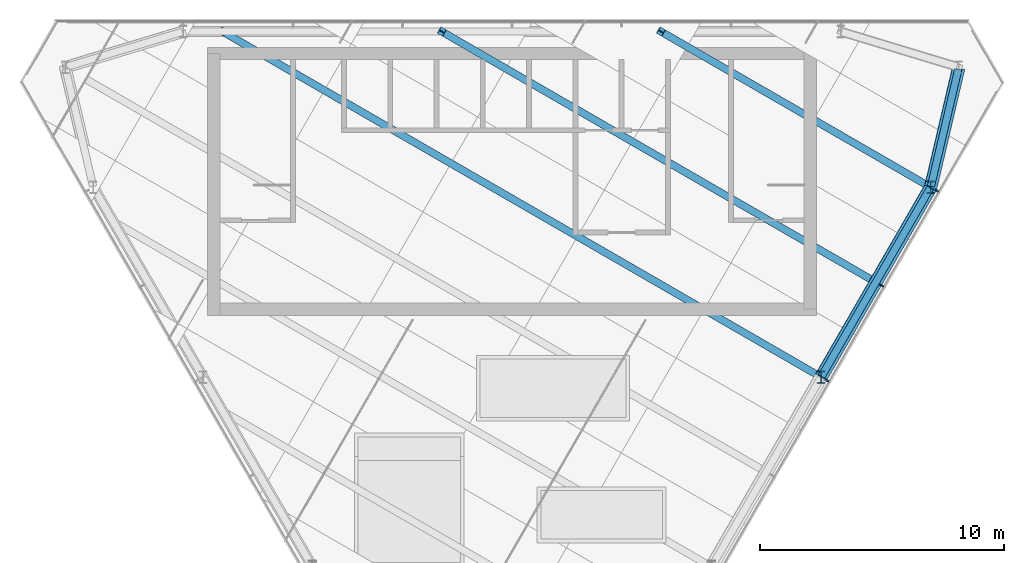
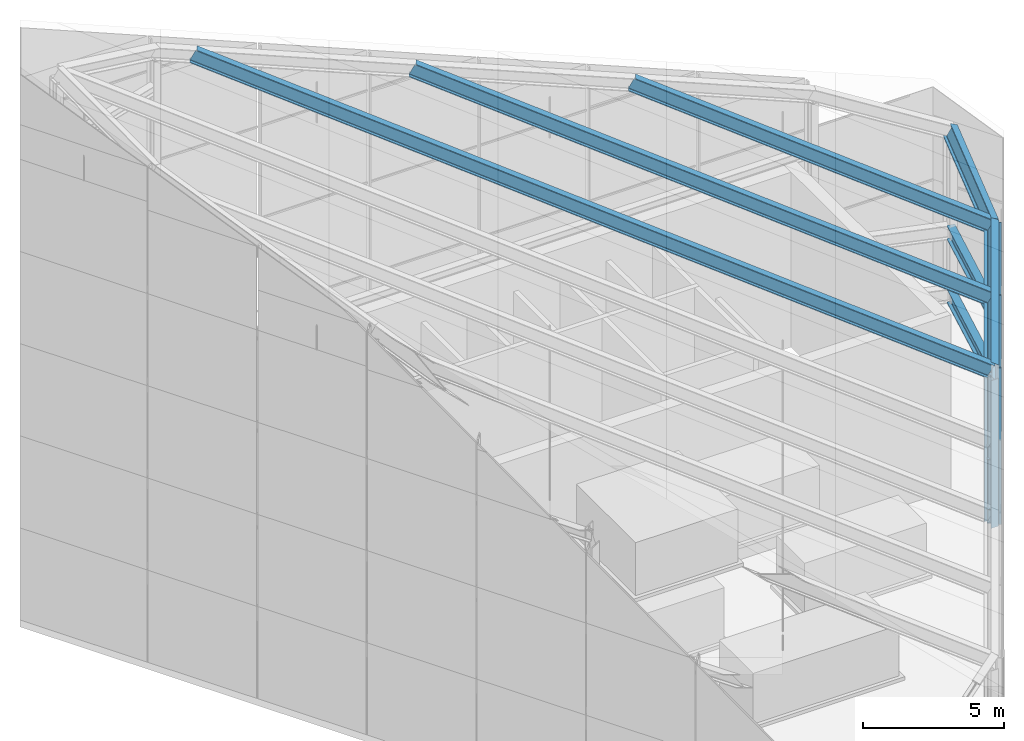
# One storey, part 7 of 16: 9 members, 5 beams, 1 element without a shape of its own.
"""IFC4 building model written with IfcOpenShell, lengths in metres."""

from ifc_helpers import new_model, si_unit, direction, frame, origin, origin_2d, place, context, subcontext, project, spatial, rectangle, i_section, extrude, material, layer, layer_set, material_profile, profile_set, type_object, element, aggregate, save


model = new_model("IFC4")

# Units and contexts
model_context = context("Model", 3, precision=1e-05, world=origin(), true_north=direction((0.0, 1.0)))
body_context = subcontext(model_context, "Body", "Model", "MODEL_VIEW")
ifc_project = project(units=[si_unit("LENGTHUNIT", "METRE"), si_unit("AREAUNIT", "SQUARE_METRE"), si_unit("VOLUMEUNIT", "CUBIC_METRE"), si_unit("PLANEANGLEUNIT", "RADIAN"), si_unit("MASSUNIT", "GRAM", prefix="KILO")], contexts=[model_context])

# Site, building, storey
site_placement = place(None, origin())
site = spatial("IfcSite", under=ifc_project, at=site_placement, CompositionType="ELEMENT")
building_placement = place(site_placement, origin())
building = spatial("IfcBuilding", under=site, at=building_placement, Name="Altiplano Prism Tower", CompositionType="ELEMENT")
storey_placement = place(building_placement, frame((0.0, 0.0, 358.0)))
storey = spatial("IfcBuildingStorey", under=building, at=storey_placement, Name="Crown", CompositionType="ELEMENT", Elevation=358.0)

# Curtain wall, members
ifc_material_1 = material(Name="Aluminium and glass", Category="aluminium")
ifc_layer = layer(ifc_material_1, 0.25)
ifc_layer_set = layer_set([ifc_layer], Name="Aluminium and glass")
curtain_wall_type = type_object("IfcCurtainWallType", Name="CW5 crown glazing", PredefinedType="NOTDEFINED", material=ifc_layer_set)
curtain_wall_placement = place(storey_placement, origin())
curtain_wall = element("IfcCurtainWall", 1, at=curtain_wall_placement, inside=storey, type_object=curtain_wall_type, Name="CW5 crown glazing face 3", PredefinedType="NOTDEFINED")
ifc_material_2 = material(Name="Aluminium", Category="aluminium")
ifc_material_profile_1 = material_profile(ifc_material_2, rectangle(XDim=0.159912109375, YDim=0.06005859375, at=origin_2d()), Name="CW5 mullion 60 x 160")
ifc_profile_set_1 = profile_set([ifc_material_profile_1], Name="Aluminium")
member_type_1 = type_object("IfcMemberType", Name="CW5 mullion 60 x 160", PredefinedType="MULLION", material=ifc_profile_set_1)
member_1_placement = place(storey_placement, frame((97.934814453125, 90.220703125, 0.0), z_axis=(0.0, 0.0, 1.0), x_axis=(-0.866025407336, 0.499999993848, 0.0)))
member_1 = element("IfcMember", 2, at=member_1_placement, type_object=member_type_1, Name="CW5 mullion", PredefinedType="MULLION", context=body_context, shape_type="SweptSolid", body=[
    extrude(rectangle(XDim=0.159912109375, YDim=0.06005859375, at=origin_2d()), origin(), (0.0, 0.0, 1.0), 6.7900390625),
])
member_2_placement = place(storey_placement, frame((100.184814453125, 94.11767578125, 0.0), z_axis=(0.0, 0.0, 1.0), x_axis=(-0.866025407336, 0.499999993848, 0.0)))
member_2 = element("IfcMember", 3, at=member_2_placement, type_object=member_type_1, Name="CW5 mullion", PredefinedType="MULLION", context=body_context, shape_type="SweptSolid", body=[
    extrude(rectangle(XDim=0.159912109375, YDim=0.06005859375, at=origin_2d()), origin(), (0.0, 0.0, 1.0), 6.7900390625),
])
member_3_placement = place(storey_placement, frame((102.434814453125, 98.014892578125, 0.0), z_axis=(0.0, 0.0, 1.0), x_axis=(-0.866025407336, 0.499999993848, 0.0)))
member_3 = element("IfcMember", 4, at=member_3_placement, type_object=member_type_1, Name="CW5 mullion", PredefinedType="MULLION", context=body_context, shape_type="SweptSolid", body=[
    extrude(rectangle(XDim=0.159912109375, YDim=0.06005859375, at=origin_2d()), origin(), (0.0, 0.0, 1.0), 6.7900390625),
])
aggregate(curtain_wall, [member_1, member_2, member_3])

# Members
ifc_material_3 = material(Name="Steel S355", Category="steel")
ifc_material_profile_2 = material_profile(ifc_material_3, i_section(OverallWidth=0.300048828125, OverallDepth=0.60009765625, WebThickness=0.015380859375, FlangeThickness=0.030029296875, FilletRadius=0.027099609375, at=origin_2d()), Name="Crown base chord HEB 600")
ifc_profile_set_2 = profile_set([ifc_material_profile_2], Name="Steel S355")
member_type_2 = type_object("IfcMemberType", Name="Crown base chord HEB 600", PredefinedType="CHORD", material=ifc_profile_set_2)
for number, where, z_axis, x_axis, name in (
    (5, (102.20068359375, 98.190673828125, 0.300048828125), (0.227821664455, 0.973702875217, 0.0), (-0.973702875217, 0.227821664455, 0.0), "Crown base ring chord b1"),
    (6, (102.20068359375, 98.190673828125, 3.050048828125), (0.227821664455, 0.973702875217, 0.0), (-0.973702875217, 0.227821664455, 0.0), "Crown base ring chord t1"),
):
    element("IfcMember", number, at=place(storey_placement, frame(where, z_axis=z_axis, x_axis=x_axis)), inside=storey, type_object=member_type_2, Name=name, PredefinedType="CHORD", context=body_context, shape_type="SweptSolid", body=[
        extrude(i_section(OverallWidth=0.300048828125, OverallDepth=0.60009765625, WebThickness=0.015380859375, FlangeThickness=0.030029296875, FilletRadius=0.027099609375, at=origin_2d()), origin(), (0.0, 0.0, 1.0), 4.940185546875),
    ])
for number, where, z_axis, x_axis, name in (
    (7, (97.707275390625, 90.38671875, 0.300048828125), (0.500001398157, 0.866024596557, 0.0), (-0.866024596557, 0.500001398157, 0.0), "Crown base ring chord b13"),
    (8, (97.707275390625, 90.38671875, 3.050048828125), (0.500001398157, 0.866024596557, 0.0), (-0.866024596557, 0.500001398157, 0.0), "Crown base ring chord t13"),
):
    element("IfcMember", number, at=place(storey_placement, frame(where, z_axis=z_axis, x_axis=x_axis)), inside=storey, type_object=member_type_2, Name=name, PredefinedType="CHORD", context=body_context, shape_type="SweptSolid", body=[
        extrude(i_section(OverallWidth=0.300048828125, OverallDepth=0.60009765625, WebThickness=0.015380859375, FlangeThickness=0.030029296875, FilletRadius=0.027099609375, at=origin_2d()), origin(), (0.0, 0.0, 1.0), 8.93994140625),
    ])
ifc_material_profile_3 = material_profile(ifc_material_3, i_section(OverallWidth=0.300048828125, OverallDepth=0.5, WebThickness=0.014404296875, FlangeThickness=0.028076171875, FilletRadius=0.027099609375, at=origin_2d()), Name="Crown post HEB 500")
ifc_profile_set_3 = profile_set([ifc_material_profile_3], Name="Steel S355")
member_type_3 = type_object("IfcMemberType", Name="Crown post HEB 500", PredefinedType="POST", material=ifc_profile_set_3)
for number, where, z_axis, x_axis, name in (
    (9, (102.192138671875, 98.15478515625, 0.0), (0.0, 0.0, 1.0), (1.0, 0.0, 0.0), "Crown post P24"),
    (10, (97.692138671875, 90.360595703125, 0.0), (0.0, 0.0, 1.0), (1.0, 0.0, 0.0), "Crown post P23"),
):
    element("IfcMember", number, at=place(storey_placement, frame(where, z_axis=z_axis, x_axis=x_axis)), inside=storey, type_object=member_type_3, Name=name, PredefinedType="POST", context=body_context, shape_type="SweptSolid", body=[
        extrude(i_section(OverallWidth=0.300048828125, OverallDepth=0.5, WebThickness=0.014404296875, FlangeThickness=0.028076171875, FilletRadius=0.027099609375, at=origin_2d()), origin(), (0.0, 0.0, 1.0), 6.4111328125),
    ])

# Beams
ifc_material_profile_4 = material_profile(ifc_material_3, i_section(OverallWidth=0.300048828125, OverallDepth=0.60009765625, WebThickness=0.015380859375, FlangeThickness=0.030029296875, FilletRadius=0.027099609375, at=origin_2d()), Name="Crown rafter HEB 600")
ifc_profile_set_4 = profile_set([ifc_material_profile_4], Name="Steel S355")
beam_type = type_object("IfcBeamType", Name="Crown rafter HEB 600", PredefinedType="BEAM", material=ifc_profile_set_4)
beam_1_placement = place(storey_placement, frame((102.192138671875, 98.15478515625, 6.683837890625), z_axis=(0.22566458935, 0.964316131974, 0.138455374503), x_axis=(-0.898450881126, 0.151057701683, 0.412271251685)))
element("IfcBeam", 11, at=beam_1_placement, inside=storey, type_object=beam_type, Name="Crown rafter ring 1", PredefinedType="BEAM", context=body_context, shape_type="SweptSolid", body=[
    extrude(i_section(OverallWidth=0.300048828125, OverallDepth=0.60009765625, WebThickness=0.015380859375, FlangeThickness=0.030029296875, FilletRadius=0.027099609375, at=origin_2d()), origin(), (0.0, 0.0, 1.0), 5.11181640625),
])
beam_2_placement = place(storey_placement, frame((97.692138671875, 90.360595703125, 6.683837890625), z_axis=(0.5000018851, 0.866024315419, 0.0), x_axis=(-0.779833723479, 0.45023947349, 0.434906633931)))
element("IfcBeam", 12, at=beam_2_placement, inside=storey, type_object=beam_type, Name="Crown rafter ring 13", PredefinedType="BEAM", context=body_context, shape_type="SweptSolid", body=[
    extrude(i_section(OverallWidth=0.300048828125, OverallDepth=0.60009765625, WebThickness=0.015380859375, FlangeThickness=0.030029296875, FilletRadius=0.027099609375, at=origin_2d()), origin(), (0.0, 0.0, 1.0), 9.0),
])
beam_3_placement = place(storey_placement, frame((102.192138671875, 98.15478515625, 6.683837890625), z_axis=(-0.779833486139, 0.45024770045, 0.434898542347), x_axis=(-0.500008851346, -0.866020293397, 0.0)))
element("IfcBeam", 13, at=beam_3_placement, inside=storey, type_object=beam_type, Name="Crown rafter 2", PredefinedType="BEAM", context=body_context, shape_type="SweptSolid", body=[
    extrude(i_section(OverallWidth=0.300048828125, OverallDepth=0.60009765625, WebThickness=0.015380859375, FlangeThickness=0.030029296875, FilletRadius=0.027099609375, at=origin_2d()), origin(), (0.0, 0.0, 1.0), 14.203857421875),
])
beam_4_placement = place(storey_placement, frame((99.942138671875, 94.2578125, 6.683837890625), z_axis=(-0.779836249873, 0.450239075103, 0.434902516243), x_axis=(-0.500000338417, -0.866025208399, 0.0)))
element("IfcBeam", 14, at=beam_4_placement, inside=storey, type_object=beam_type, Name="Crown rafter 3", PredefinedType="BEAM", context=body_context, shape_type="SweptSolid", body=[
    extrude(i_section(OverallWidth=0.300048828125, OverallDepth=0.60009765625, WebThickness=0.015380859375, FlangeThickness=0.030029296875, FilletRadius=0.027099609375, at=origin_2d()), origin(), (0.0, 0.0, 1.0), 22.859375),
])
beam_5_placement = place(storey_placement, frame((97.692138671875, 90.360595703125, 6.683837890625), z_axis=(-0.77983477548, 0.450241364025, 0.434902790371), x_axis=(-0.500002953828, -0.866023698384, 0.0)))
element("IfcBeam", 15, at=beam_5_placement, inside=storey, type_object=beam_type, Name="Crown rafter 4", PredefinedType="BEAM", context=body_context, shape_type="SweptSolid", body=[
    extrude(i_section(OverallWidth=0.300048828125, OverallDepth=0.60009765625, WebThickness=0.015380859375, FlangeThickness=0.030029296875, FilletRadius=0.027099609375, at=origin_2d()), origin(), (0.0, 0.0, 1.0), 31.51513671875),
])

save(model, "model.ifc")
